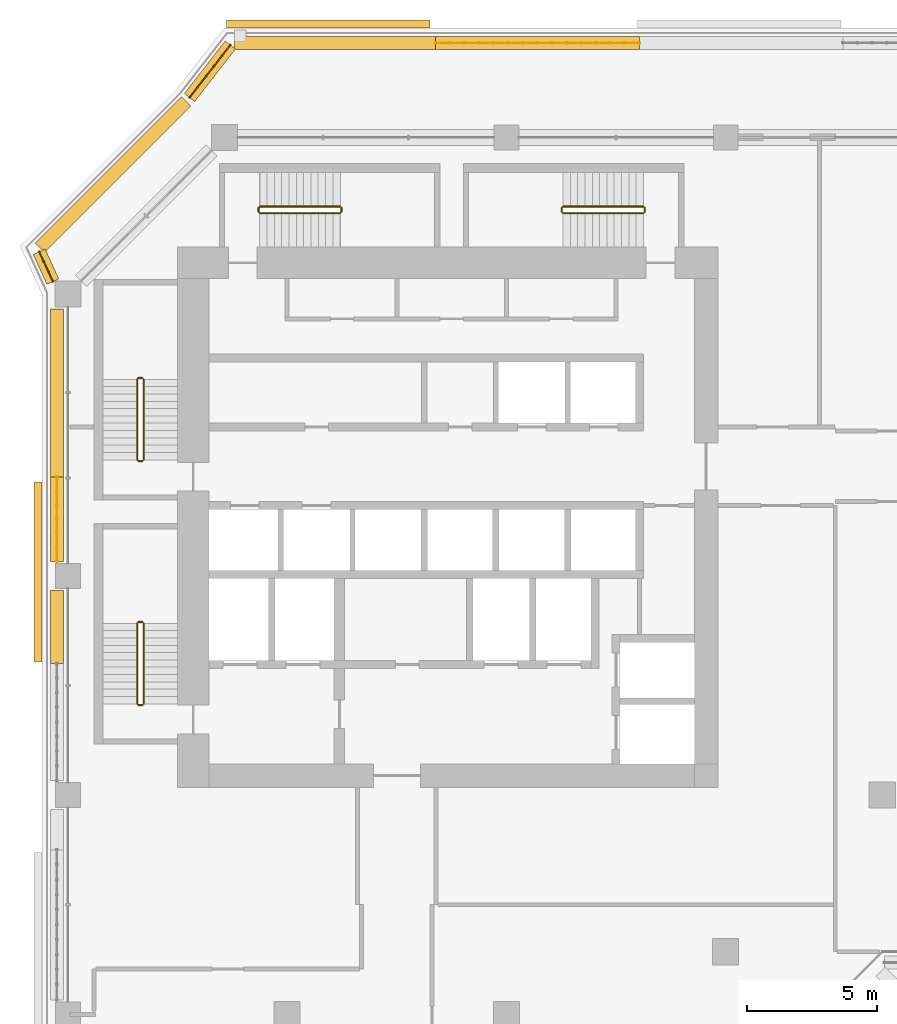
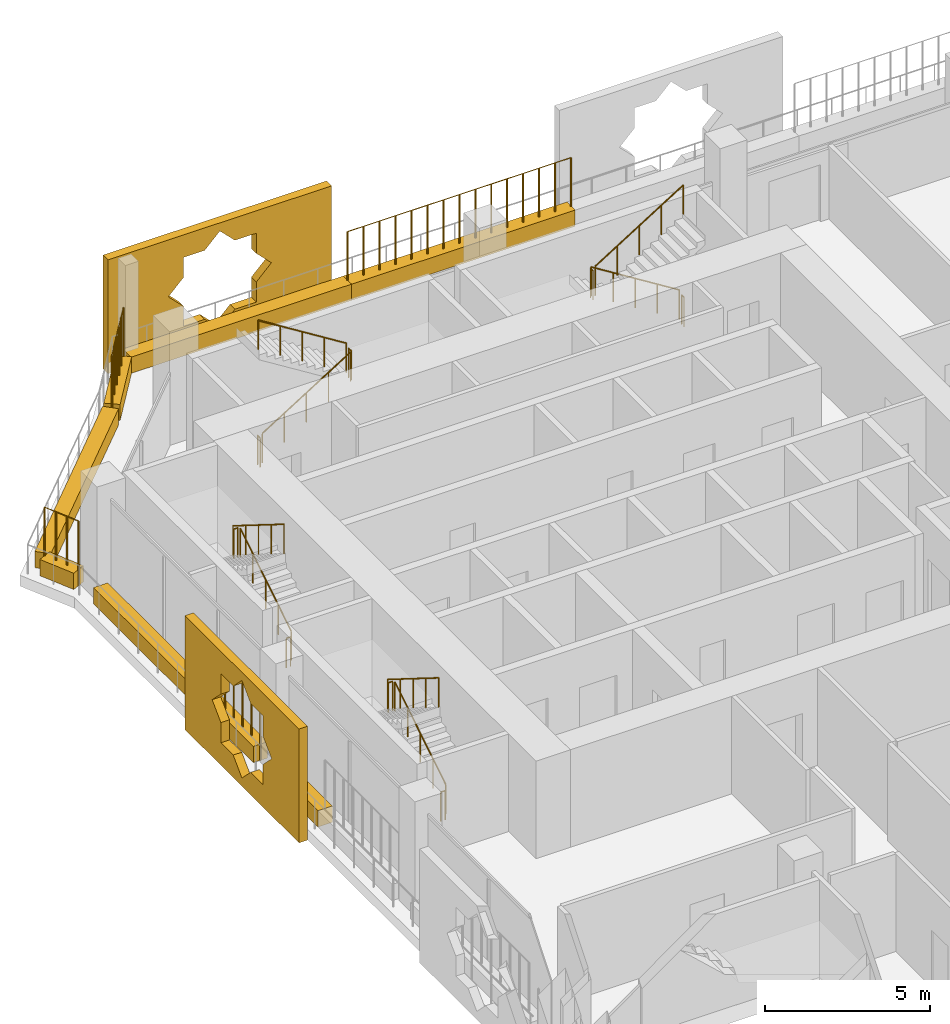
# One storey, part 20 of 22: 20 railings, 10 coverings.
"""IFC4 building model written with IfcOpenShell, lengths in metres."""

from ifc_helpers import new_model, si_unit, direction, frame, origin, origin_2d, place, context, subcontext, project, spatial, polyline, rectangle, circle, outline, extrude, material, material_profile, profile_set, type_object, element, save


model = new_model("IFC4")

# Units and contexts
model_context = context("Model", 3, precision=1e-05, world=origin(), true_north=direction((0.0, 1.0)))
body_context = subcontext(model_context, "Body", "Model", "MODEL_VIEW")
ifc_project = project(units=[si_unit("LENGTHUNIT", "METRE"), si_unit("AREAUNIT", "SQUARE_METRE"), si_unit("VOLUMEUNIT", "CUBIC_METRE"), si_unit("PLANEANGLEUNIT", "RADIAN"), si_unit("MASSUNIT", "GRAM", prefix="KILO")], contexts=[model_context])

# Site, building, storey
site_placement = place(None, origin())
site = spatial("IfcSite", under=ifc_project, at=site_placement, CompositionType="ELEMENT")
building_placement = place(site_placement, origin())
building = spatial("IfcBuilding", under=site, at=building_placement, Name="Kawkab Arch Medical Tower", CompositionType="ELEMENT")
storey_placement = place(building_placement, frame((0.0, 0.0, 187.800048828125)))
storey = spatial("IfcBuildingStorey", under=building, at=storey_placement, Name="L43", CompositionType="ELEMENT", Elevation=187.800048828125)

# Coverings
ifc_material_1 = material(Name="Bronze anodised aluminium mashrabiya panel, eight-point star pattern", Category="aluminium")
ifc_material_profile_1 = material_profile(ifc_material_1, outline(polyline([(-3.449951171875, -2.10009765625), (3.449951171875, -2.10009765625), (3.449951171875, 2.10009765625), (-3.449951171875, 2.10009765625), (-3.449951171875, -2.10009765625)]), holes=[polyline([(1.800048828125, 0.0), (1.272705078125, 0.527099609375), (1.272705078125, 1.272705078125), (0.527099609375, 1.272705078125), (0.0, 1.800048828125), (-0.527099609375, 1.272705078125), (-1.272705078125, 1.272705078125), (-1.272705078125, 0.527099609375), (-1.800048828125, 0.0), (-1.272705078125, -0.527099609375), (-1.272705078125, -1.272705078125), (-0.527099609375, -1.272705078125), (0.0, -1.800048828125), (0.527099609375, -1.272705078125), (1.272705078125, -1.272705078125), (1.272705078125, -0.527099609375), (1.800048828125, 0.0)])]), Name="Mashrabiya panel 6900x4200")
ifc_profile_set_1 = profile_set([ifc_material_profile_1], Name="Bronze anodised aluminium mashrabiya panel, eight-point star pattern")
covering_type_1 = type_object("IfcCoveringType", Name="Mashrabiya panel 6900 x 4200", PredefinedType="USERDEFINED", material=ifc_profile_set_1)
covering_1_placement = place(storey_placement, frame((-1.0, -16.64892578125, 1.699951171875), z_axis=(-1.0, 0.0, 0.0), x_axis=(0.0, -1.0, 0.0)))
element("IfcCovering", 1, at=covering_1_placement, inside=storey, type_object=covering_type_1, Name="Mashrabiya panel L43.LOG-01-01.4", ObjectType="SCREEN", PredefinedType="USERDEFINED", context=body_context, shape_type="SweptSolid", body=[
    extrude(outline(polyline([(-3.449951171875, -2.10009765625), (3.449951171875, -2.10009765625), (3.449951171875, 2.10009765625), (-3.449951171875, 2.10009765625), (-3.449951171875, -2.10009765625)]), holes=[polyline([(1.800048828125, 0.0), (1.272705078125, 0.527099609375), (1.272705078125, 1.272705078125), (0.527099609375, 1.272705078125), (0.0, 1.800048828125), (-0.527099609375, 1.272705078125), (-1.272705078125, 1.272705078125), (-1.272705078125, 0.527099609375), (-1.800048828125, 0.0), (-1.272705078125, -0.527099609375), (-1.272705078125, -1.272705078125), (-0.527099609375, -1.272705078125), (0.0, -1.800048828125), (0.527099609375, -1.272705078125), (1.272705078125, -1.272705078125), (1.272705078125, -0.527099609375), (1.800048828125, 0.0)])]), origin(), (0.0, 0.0, 1.0), 0.300048828125),
])
ifc_material_2 = material(Name="Bronze anodised aluminium mashrabiya panel, eight-point star pattern", Category="aluminium")
ifc_material_profile_2 = material_profile(ifc_material_2, outline(polyline([(-3.89990234375, -2.10009765625), (3.89990234375, -2.10009765625), (3.89990234375, 2.10009765625), (-3.89990234375, 2.10009765625), (-3.89990234375, -2.10009765625)]), holes=[polyline([(1.800048828125, 0.0), (1.272705078125, 0.527099609375), (1.272705078125, 1.272705078125), (0.527099609375, 1.272705078125), (0.0, 1.800048828125), (-0.527099609375, 1.272705078125), (-1.272705078125, 1.272705078125), (-1.272705078125, 0.527099609375), (-1.800048828125, 0.0), (-1.272705078125, -0.527099609375), (-1.272705078125, -1.272705078125), (-0.527099609375, -1.272705078125), (0.0, -1.800048828125), (0.527099609375, -1.272705078125), (1.272705078125, -1.272705078125), (1.272705078125, -0.527099609375), (1.800048828125, 0.0)])]), Name="Mashrabiya panel 7800x4200")
ifc_profile_set_2 = profile_set([ifc_material_profile_2], Name="Bronze anodised aluminium mashrabiya panel, eight-point star pattern")
covering_type_2 = type_object("IfcCoveringType", Name="Mashrabiya panel 7800 x 4200", PredefinedType="USERDEFINED", material=ifc_profile_set_2)
covering_2_placement = place(storey_placement, frame((9.967041015625, 4.199951171875, 1.699951171875), z_axis=(0.0, 1.0, 0.0), x_axis=(-1.0, 0.0, 0.0)))
element("IfcCovering", 2, at=covering_2_placement, inside=storey, type_object=covering_type_2, Name="Mashrabiya panel L43.LOG-01-01.5", ObjectType="SCREEN", PredefinedType="USERDEFINED", context=body_context, shape_type="SweptSolid", body=[
    extrude(outline(polyline([(-3.89990234375, -2.10009765625), (3.89990234375, -2.10009765625), (3.89990234375, 2.10009765625), (-3.89990234375, 2.10009765625), (-3.89990234375, -2.10009765625)]), holes=[polyline([(1.800048828125, 0.0), (1.272705078125, 0.527099609375), (1.272705078125, 1.272705078125), (0.527099609375, 1.272705078125), (0.0, 1.800048828125), (-0.527099609375, 1.272705078125), (-1.272705078125, 1.272705078125), (-1.272705078125, 0.527099609375), (-1.800048828125, 0.0), (-1.272705078125, -0.527099609375), (-1.272705078125, -1.272705078125), (-0.527099609375, -1.272705078125), (0.0, -1.800048828125), (0.527099609375, -1.272705078125), (1.272705078125, -1.272705078125), (1.272705078125, -0.527099609375), (1.800048828125, 0.0)])]), origin(), (0.0, 0.0, 1.0), 0.300048828125),
])
ifc_material_3 = material(Name="Planting soil in a precast trough", Category="concrete")
ifc_material_profile_3 = material_profile(ifc_material_3, rectangle(XDim=0.5, YDim=0.60009765625, at=origin_2d()), Name="Trough 500x600")
ifc_profile_set_3 = profile_set([ifc_material_profile_3], Name="Planting soil in a precast trough")
covering_type_3 = type_object("IfcCoveringType", Name="Planter trough 500 x 600", PredefinedType="USERDEFINED", material=ifc_profile_set_3)
covering_3_placement = place(storey_placement, frame((-0.419921875, -20.157958984375, 0.300048828125), z_axis=(0.0, 1.0, 0.0), x_axis=(-1.0, 0.0, 0.0)))
element("IfcCovering", 3, at=covering_3_placement, inside=storey, type_object=covering_type_3, Name="Planter L43.LOG-01-01.12", ObjectType="PLANTER", PredefinedType="USERDEFINED", context=body_context, shape_type="SweptSolid", body=[
    extrude(rectangle(XDim=0.5, YDim=0.60009765625, at=origin_2d()), origin(), (0.0, 0.0, 1.0), 2.802978515625),
])
covering_4_placement = place(storey_placement, frame((-0.419921875, -16.2451171875, 0.300048828125), z_axis=(0.0, 1.0, 0.0), x_axis=(-1.0, 0.0, 0.0)))
element("IfcCovering", 4, at=covering_4_placement, inside=storey, type_object=covering_type_3, Name="Planter L43.LOG-01-01.13", ObjectType="PLANTER", PredefinedType="USERDEFINED", context=body_context, shape_type="SweptSolid", body=[
    extrude(rectangle(XDim=0.5, YDim=0.60009765625, at=origin_2d()), origin(), (0.0, 0.0, 1.0), 3.22900390625),
])
covering_5_placement = place(storey_placement, frame((-0.419921875, -13.01611328125, 0.300048828125), z_axis=(0.0, 1.0, 0.0), x_axis=(-1.0, 0.0, 0.0)))
element("IfcCovering", 5, at=covering_5_placement, inside=storey, type_object=covering_type_3, Name="Planter L43.LOG-01-01.14", ObjectType="PLANTER", PredefinedType="USERDEFINED", context=body_context, shape_type="SweptSolid", body=[
    extrude(rectangle(XDim=0.5, YDim=0.60009765625, at=origin_2d()), origin(), (0.0, 0.0, 1.0), 6.43603515625),
])
covering_6_placement = place(storey_placement, frame((-0.580078125, -5.52294921875, 0.300048828125), z_axis=(-0.415089762627, 0.909780461959, 0.0), x_axis=(-0.909780461959, -0.415089762627, 0.0)))
element("IfcCovering", 6, at=covering_6_placement, inside=storey, type_object=covering_type_3, Name="Planter L43.LOG-01-01.15", ObjectType="PLANTER", PredefinedType="USERDEFINED", context=body_context, shape_type="SweptSolid", body=[
    extrude(rectangle(XDim=0.5, YDim=0.60009765625, at=origin_2d()), origin(), (0.0, 0.0, 1.0), 1.257568359375),
])
covering_7_placement = place(storey_placement, frame((-1.072998046875, -4.217041015625, 0.300048828125), z_axis=(0.707106781187, 0.707106781187, 0.0), x_axis=(-0.707106781187, 0.707106781187, 0.0)))
element("IfcCovering", 7, at=covering_7_placement, inside=storey, type_object=covering_type_3, Name="Planter L43.LOG-01-01.16", ObjectType="PLANTER", PredefinedType="USERDEFINED", context=body_context, shape_type="SweptSolid", body=[
    extrude(rectangle(XDim=0.5, YDim=0.60009765625, at=origin_2d()), origin(), (0.0, 0.0, 1.0), 7.919677734375),
])
covering_8_placement = place(storey_placement, frame((4.658935546875, 1.531982421875, 0.300048828125), z_axis=(0.61404021143, 0.789274742246, 0.0), x_axis=(-0.789274742246, 0.61404021143, 0.0)))
element("IfcCovering", 8, at=covering_8_placement, inside=storey, type_object=covering_type_3, Name="Planter L43.LOG-01-01.17", ObjectType="PLANTER", PredefinedType="USERDEFINED", context=body_context, shape_type="SweptSolid", body=[
    extrude(rectangle(XDim=0.5, YDim=0.60009765625, at=origin_2d()), origin(), (0.0, 0.0, 1.0), 2.54541015625),
])
covering_9_placement = place(storey_placement, frame((6.384033203125, 3.6201171875, 0.300048828125), z_axis=(1.0, 0.0, 0.0), x_axis=(0.0, 1.0, 0.0)))
element("IfcCovering", 9, at=covering_9_placement, inside=storey, type_object=covering_type_3, Name="Planter L43.LOG-01-01.18", ObjectType="PLANTER", PredefinedType="USERDEFINED", context=body_context, shape_type="SweptSolid", body=[
    extrude(rectangle(XDim=0.5, YDim=0.60009765625, at=origin_2d()), origin(), (0.0, 0.0, 1.0), 7.703857421875),
])
covering_10_placement = place(storey_placement, frame((14.087890625, 3.6201171875, 0.300048828125), z_axis=(1.0, 0.0, 0.0), x_axis=(0.0, 1.0, 0.0)))
element("IfcCovering", 10, at=covering_10_placement, inside=storey, type_object=covering_type_3, Name="Planter L43.LOG-01-01.19", ObjectType="PLANTER", PredefinedType="USERDEFINED", context=body_context, shape_type="SweptSolid", body=[
    extrude(rectangle(XDim=0.5, YDim=0.60009765625, at=origin_2d()), origin(), (0.0, 0.0, 1.0), 7.80517578125),
])

# Railings
ifc_material_4 = material(Name="Bronze anodised aluminium trellis for climbing plants", Category="aluminium")
railing_type_1 = type_object("IfcRailingType", Name="Planting trellis 2400", PredefinedType="USERDEFINED", material=ifc_material_4)
railing_1_placement = place(storey_placement, frame((-0.419921875, -16.2451171875, 0.0)))
element("IfcRailing", 11, at=railing_1_placement, inside=storey, type_object=railing_type_1, Name="Planting trellis L43.LOG-01-01.13", ObjectType="TRELLIS", PredefinedType="USERDEFINED", context=body_context, shape_type="SweptSolid", body=[
    extrude(circle(Radius=0.01513671875, at=origin_2d()), frame((0.0, 0.0, 2.384765625), z_axis=(0.0, 1.0, 0.0), x_axis=(-1.0, 0.0, 0.0)), (0.0, 0.0, 1.0), 3.22900390625),
    extrude(circle(Radius=0.030029296875, at=origin_2d()), origin(), (0.0, 0.0, 1.0), 2.369873046875),
    extrude(circle(Radius=0.030029296875, at=origin_2d()), frame((0.0, 0.5380859375, 0.0)), (0.0, 0.0, 1.0), 2.369873046875),
    extrude(circle(Radius=0.030029296875, at=origin_2d()), frame((0.0, 1.076416015625, 0.0)), (0.0, 0.0, 1.0), 2.369873046875),
    extrude(circle(Radius=0.030029296875, at=origin_2d()), frame((0.0, 1.614501953125, 0.0)), (0.0, 0.0, 1.0), 2.369873046875),
    extrude(circle(Radius=0.030029296875, at=origin_2d()), frame((0.0, 2.152587890625, 0.0)), (0.0, 0.0, 1.0), 2.369873046875),
    extrude(circle(Radius=0.030029296875, at=origin_2d()), frame((0.0, 2.69091796875, 0.0)), (0.0, 0.0, 1.0), 2.369873046875),
    extrude(circle(Radius=0.030029296875, at=origin_2d()), frame((0.0, 3.22900390625, 0.0)), (0.0, 0.0, 1.0), 2.369873046875),
])
railing_2_placement = place(storey_placement, frame((-0.580078125, -5.52294921875, 0.0)))
element("IfcRailing", 12, at=railing_2_placement, inside=storey, type_object=railing_type_1, Name="Planting trellis L43.LOG-01-01.15", ObjectType="TRELLIS", PredefinedType="USERDEFINED", context=body_context, shape_type="SweptSolid", body=[
    extrude(circle(Radius=0.01513671875, at=origin_2d()), frame((0.0, 0.0, 2.384765625), z_axis=(-0.415089762627, 0.909780461959, 0.0), x_axis=(-0.909780461959, -0.415089762627, 0.0)), (0.0, 0.0, 1.0), 1.257568359375),
    extrude(circle(Radius=0.030029296875, at=origin_2d()), origin(), (0.0, 0.0, 1.0), 2.369873046875),
    extrude(circle(Radius=0.030029296875, at=origin_2d()), frame((-0.174072265625, 0.38134765625, 0.0)), (0.0, 0.0, 1.0), 2.369873046875),
    extrude(circle(Radius=0.030029296875, at=origin_2d()), frame((-0.347900390625, 0.7626953125, 0.0)), (0.0, 0.0, 1.0), 2.369873046875),
    extrude(circle(Radius=0.030029296875, at=origin_2d()), frame((-0.52197265625, 1.14404296875, 0.0)), (0.0, 0.0, 1.0), 2.369873046875),
])
railing_3_placement = place(storey_placement, frame((4.658935546875, 1.531982421875, 0.0)))
element("IfcRailing", 13, at=railing_3_placement, inside=storey, type_object=railing_type_1, Name="Planting trellis L43.LOG-01-01.17", ObjectType="TRELLIS", PredefinedType="USERDEFINED", context=body_context, shape_type="SweptSolid", body=[
    extrude(circle(Radius=0.01513671875, at=origin_2d()), frame((0.0, 0.0, 2.384765625), z_axis=(0.61404021143, 0.789274742246, 0.0), x_axis=(-0.789274742246, 0.61404021143, 0.0)), (0.0, 0.0, 1.0), 2.54541015625),
    extrude(circle(Radius=0.030029296875, at=origin_2d()), origin(), (0.0, 0.0, 1.0), 2.369873046875),
    extrude(circle(Radius=0.030029296875, at=origin_2d()), frame((0.3125, 0.40185546875, 0.0)), (0.0, 0.0, 1.0), 2.369873046875),
    extrude(circle(Radius=0.030029296875, at=origin_2d()), frame((0.625244140625, 0.8037109375, 0.0)), (0.0, 0.0, 1.0), 2.369873046875),
    extrude(circle(Radius=0.030029296875, at=origin_2d()), frame((0.937744140625, 1.205322265625, 0.0)), (0.0, 0.0, 1.0), 2.369873046875),
    extrude(circle(Radius=0.030029296875, at=origin_2d()), frame((1.25048828125, 1.607177734375, 0.0)), (0.0, 0.0, 1.0), 2.369873046875),
    extrude(circle(Radius=0.030029296875, at=origin_2d()), frame((1.56298828125, 2.009033203125, 0.0)), (0.0, 0.0, 1.0), 2.369873046875),
])
railing_4_placement = place(storey_placement, frame((14.087890625, 3.6201171875, 0.0)))
element("IfcRailing", 14, at=railing_4_placement, inside=storey, type_object=railing_type_1, Name="Planting trellis L43.LOG-01-01.19", ObjectType="TRELLIS", PredefinedType="USERDEFINED", context=body_context, shape_type="SweptSolid", body=[
    extrude(circle(Radius=0.01513671875, at=origin_2d()), frame((0.0, 0.0, 2.384765625), z_axis=(1.0, 0.0, 0.0), x_axis=(0.0, 1.0, 0.0)), (0.0, 0.0, 1.0), 7.80517578125),
    extrude(circle(Radius=0.030029296875, at=origin_2d()), origin(), (0.0, 0.0, 1.0), 2.369873046875),
    extrude(circle(Radius=0.030029296875, at=origin_2d()), frame((0.5576171875, 0.0, 0.0)), (0.0, 0.0, 1.0), 2.369873046875),
    extrude(circle(Radius=0.030029296875, at=origin_2d()), frame((1.114990234375, 0.0, 0.0)), (0.0, 0.0, 1.0), 2.369873046875),
    extrude(circle(Radius=0.030029296875, at=origin_2d()), frame((1.672607421875, 0.0, 0.0)), (0.0, 0.0, 1.0), 2.369873046875),
    extrude(circle(Radius=0.030029296875, at=origin_2d()), frame((2.22998046875, 0.0, 0.0)), (0.0, 0.0, 1.0), 2.369873046875),
    extrude(circle(Radius=0.030029296875, at=origin_2d()), frame((2.78759765625, 0.0, 0.0)), (0.0, 0.0, 1.0), 2.369873046875),
    extrude(circle(Radius=0.030029296875, at=origin_2d()), frame((3.344970703125, 0.0, 0.0)), (0.0, 0.0, 1.0), 2.369873046875),
    extrude(circle(Radius=0.030029296875, at=origin_2d()), frame((3.902587890625, 0.0, 0.0)), (0.0, 0.0, 1.0), 2.369873046875),
    extrude(circle(Radius=0.030029296875, at=origin_2d()), frame((4.460205078125, 0.0, 0.0)), (0.0, 0.0, 1.0), 2.369873046875),
    extrude(circle(Radius=0.030029296875, at=origin_2d()), frame((5.017578125, 0.0, 0.0)), (0.0, 0.0, 1.0), 2.369873046875),
    extrude(circle(Radius=0.030029296875, at=origin_2d()), frame((5.5751953125, 0.0, 0.0)), (0.0, 0.0, 1.0), 2.369873046875),
    extrude(circle(Radius=0.030029296875, at=origin_2d()), frame((6.132568359375, 0.0, 0.0)), (0.0, 0.0, 1.0), 2.369873046875),
    extrude(circle(Radius=0.030029296875, at=origin_2d()), frame((6.690185546875, 0.0, 0.0)), (0.0, 0.0, 1.0), 2.369873046875),
    extrude(circle(Radius=0.030029296875, at=origin_2d()), frame((7.24755859375, 0.0, 0.0)), (0.0, 0.0, 1.0), 2.369873046875),
    extrude(circle(Radius=0.030029296875, at=origin_2d()), frame((7.80517578125, 0.0, 0.0)), (0.0, 0.0, 1.0), 2.369873046875),
])
ifc_material_5 = material(Name="Stainless steel", Category="steel")
railing_type_2 = type_object("IfcRailingType", Name="Stair guard 1100", PredefinedType="GUARDRAIL", material=ifc_material_5)
railing_5_placement = place(storey_placement, frame((2.89990234375, -12.35009765625, 0.175048828125)))
element("IfcRailing", 15, at=railing_5_placement, inside=storey, type_object=railing_type_2, Name="L43 ST1 stair guard 1", PredefinedType="GUARDRAIL", context=body_context, shape_type="SweptSolid", body=[
    extrude(circle(Radius=0.02392578125, at=origin_2d()), frame((0.0, 0.0, 1.076171875), z_axis=(0.0, 0.848028513186, 0.529950602248), x_axis=(-1.0, 0.0, 0.0)), (0.0, 0.0, 1.0), 3.632080078125),
    extrude(circle(Radius=0.02099609375, at=origin_2d()), origin(), (0.0, 0.0, 1.0), 1.052001953125),
    extrude(circle(Radius=0.02099609375, at=origin_2d()), frame((0.0, 0.77001953125, 0.481201171875)), (0.0, 0.0, 1.0), 1.052001953125),
    extrude(circle(Radius=0.02099609375, at=origin_2d()), frame((0.0, 1.5400390625, 0.96240234375)), (0.0, 0.0, 1.0), 1.052001953125),
    extrude(circle(Radius=0.02099609375, at=origin_2d()), frame((0.0, 2.31005859375, 1.443603515625)), (0.0, 0.0, 1.0), 1.052001953125),
    extrude(circle(Radius=0.02099609375, at=origin_2d()), frame((0.0, 3.080078125, 1.9248046875)), (0.0, 0.0, 1.0), 1.052001953125),
])
railing_6_placement = place(storey_placement, frame((2.85009765625, -9.219970703125, 2.099853515625)))
element("IfcRailing", 16, at=railing_6_placement, inside=storey, type_object=railing_type_2, Name="L43 ST1 stair guard 2", PredefinedType="GUARDRAIL", context=body_context, shape_type="SweptSolid", body=[
    extrude(circle(Radius=0.02392578125, at=origin_2d()), frame((0.0, 0.0, 1.076171875), z_axis=(-1.0, 0.0, 0.0), x_axis=(0.0, -1.0, 0.0)), (0.0, 0.0, 1.0), 0.150146484375),
    extrude(circle(Radius=0.02099609375, at=origin_2d()), origin(), (0.0, 0.0, 1.0), 1.052001953125),
    extrude(circle(Radius=0.02099609375, at=origin_2d()), frame((-0.150146484375, 0.0, 0.0)), (0.0, 0.0, 1.0), 1.052001953125),
])
railing_7_placement = place(storey_placement, frame((2.64990234375, -9.27001953125, 2.27490234375)))
element("IfcRailing", 17, at=railing_7_placement, inside=storey, type_object=railing_type_2, Name="L43 ST1 stair guard 3", PredefinedType="GUARDRAIL", context=body_context, shape_type="SweptSolid", body=[
    extrude(circle(Radius=0.02392578125, at=origin_2d()), frame((0.0, 0.0, 1.076171875), z_axis=(0.0, -0.847998304005, 0.529998940003), x_axis=(1.0, 0.0, 0.0)), (0.0, 0.0, 1.0), 3.632080078125),
    extrude(circle(Radius=0.02099609375, at=origin_2d()), origin(), (0.0, 0.0, 1.0), 1.052001953125),
    extrude(circle(Radius=0.02099609375, at=origin_2d()), frame((0.0, -0.77001953125, 0.481201171875)), (0.0, 0.0, 1.0), 1.052001953125),
    extrude(circle(Radius=0.02099609375, at=origin_2d()), frame((0.0, -1.5400390625, 0.96240234375)), (0.0, 0.0, 1.0), 1.052001953125),
    extrude(circle(Radius=0.02099609375, at=origin_2d()), frame((0.0, -2.31005859375, 1.44384765625)), (0.0, 0.0, 1.0), 1.052001953125),
    extrude(circle(Radius=0.02099609375, at=origin_2d()), frame((0.0, -3.080078125, 1.925048828125)), (0.0, 0.0, 1.0), 1.052001953125),
])
railing_8_placement = place(storey_placement, frame((2.85009765625, -12.39990234375, 0.0)))
element("IfcRailing", 18, at=railing_8_placement, inside=storey, type_object=railing_type_2, Name="L43 ST1 stair guard 4", PredefinedType="GUARDRAIL", context=body_context, shape_type="SweptSolid", body=[
    extrude(circle(Radius=0.02392578125, at=origin_2d()), frame((0.0, 0.0, 1.076171875), z_axis=(-1.0, 0.0, 0.0), x_axis=(0.0, -1.0, 0.0)), (0.0, 0.0, 1.0), 0.150146484375),
    extrude(circle(Radius=0.02099609375, at=origin_2d()), origin(), (0.0, 0.0, 1.0), 1.052001953125),
    extrude(circle(Radius=0.02099609375, at=origin_2d()), frame((-0.150146484375, 0.0, 0.0)), (0.0, 0.0, 1.0), 1.052001953125),
])
railing_9_placement = place(storey_placement, frame((2.89990234375, -21.699951171875, 0.175048828125)))
element("IfcRailing", 19, at=railing_9_placement, inside=storey, type_object=railing_type_2, Name="L43 ST2 stair guard 1", PredefinedType="GUARDRAIL", context=body_context, shape_type="SweptSolid", body=[
    extrude(circle(Radius=0.02392578125, at=origin_2d()), frame((0.0, 0.0, 1.076171875), z_axis=(0.0, 0.848009633417, 0.529980812513), x_axis=(-1.0, 0.0, 0.0)), (0.0, 0.0, 1.0), 3.6318359375),
    extrude(circle(Radius=0.02099609375, at=origin_2d()), origin(), (0.0, 0.0, 1.0), 1.052001953125),
    extrude(circle(Radius=0.02099609375, at=origin_2d()), frame((0.0, 0.77001953125, 0.481201171875)), (0.0, 0.0, 1.0), 1.052001953125),
    extrude(circle(Radius=0.02099609375, at=origin_2d()), frame((0.0, 1.5400390625, 0.96240234375)), (0.0, 0.0, 1.0), 1.052001953125),
    extrude(circle(Radius=0.02099609375, at=origin_2d()), frame((0.0, 2.309814453125, 1.443603515625)), (0.0, 0.0, 1.0), 1.052001953125),
    extrude(circle(Radius=0.02099609375, at=origin_2d()), frame((0.0, 3.079833984375, 1.9248046875)), (0.0, 0.0, 1.0), 1.052001953125),
])
railing_10_placement = place(storey_placement, frame((2.85009765625, -18.570068359375, 2.099853515625)))
element("IfcRailing", 20, at=railing_10_placement, inside=storey, type_object=railing_type_2, Name="L43 ST2 stair guard 2", PredefinedType="GUARDRAIL", context=body_context, shape_type="SweptSolid", body=[
    extrude(circle(Radius=0.02392578125, at=origin_2d()), frame((0.0, 0.0, 1.076171875), z_axis=(-1.0, 0.0, 0.0), x_axis=(0.0, -1.0, 0.0)), (0.0, 0.0, 1.0), 0.150146484375),
    extrude(circle(Radius=0.02099609375, at=origin_2d()), origin(), (0.0, 0.0, 1.0), 1.052001953125),
    extrude(circle(Radius=0.02099609375, at=origin_2d()), frame((-0.150146484375, 0.0, 0.0)), (0.0, 0.0, 1.0), 1.052001953125),
])
railing_11_placement = place(storey_placement, frame((2.64990234375, -18.6201171875, 2.27490234375)))
element("IfcRailing", 21, at=railing_11_placement, inside=storey, type_object=railing_type_2, Name="L43 ST2 stair guard 3", PredefinedType="GUARDRAIL", context=body_context, shape_type="SweptSolid", body=[
    extrude(circle(Radius=0.02392578125, at=origin_2d()), frame((0.0, 0.0, 1.076171875), z_axis=(0.0, -0.847979421464, 0.530029150871), x_axis=(1.0, 0.0, 0.0)), (0.0, 0.0, 1.0), 3.632080078125),
    extrude(circle(Radius=0.02099609375, at=origin_2d()), origin(), (0.0, 0.0, 1.0), 1.052001953125),
    extrude(circle(Radius=0.02099609375, at=origin_2d()), frame((0.0, -0.77001953125, 0.481201171875)), (0.0, 0.0, 1.0), 1.052001953125),
    extrude(circle(Radius=0.02099609375, at=origin_2d()), frame((0.0, -1.5400390625, 0.96240234375)), (0.0, 0.0, 1.0), 1.052001953125),
    extrude(circle(Radius=0.02099609375, at=origin_2d()), frame((0.0, -2.309814453125, 1.44384765625)), (0.0, 0.0, 1.0), 1.052001953125),
    extrude(circle(Radius=0.02099609375, at=origin_2d()), frame((0.0, -3.079833984375, 1.925048828125)), (0.0, 0.0, 1.0), 1.052001953125),
])
railing_12_placement = place(storey_placement, frame((2.85009765625, -21.75, 0.0)))
element("IfcRailing", 22, at=railing_12_placement, inside=storey, type_object=railing_type_2, Name="L43 ST2 stair guard 4", PredefinedType="GUARDRAIL", context=body_context, shape_type="SweptSolid", body=[
    extrude(circle(Radius=0.02392578125, at=origin_2d()), frame((0.0, 0.0, 1.076171875), z_axis=(-1.0, 0.0, 0.0), x_axis=(0.0, -1.0, 0.0)), (0.0, 0.0, 1.0), 0.150146484375),
    extrude(circle(Radius=0.02099609375, at=origin_2d()), origin(), (0.0, 0.0, 1.0), 1.052001953125),
    extrude(circle(Radius=0.02099609375, at=origin_2d()), frame((-0.150146484375, 0.0, 0.0)), (0.0, 0.0, 1.0), 1.052001953125),
])
railing_13_placement = place(storey_placement, frame((7.35009765625, -2.89990234375, 0.175048828125)))
element("IfcRailing", 23, at=railing_13_placement, inside=storey, type_object=railing_type_2, Name="L43 ST3 stair guard 1", PredefinedType="GUARDRAIL", context=body_context, shape_type="SweptSolid", body=[
    extrude(circle(Radius=0.02392578125, at=origin_2d()), frame((0.0, 0.0, 1.076171875), z_axis=(0.848009633417, 0.0, 0.529980812513), x_axis=(0.0, 1.0, 0.0)), (0.0, 0.0, 1.0), 3.6318359375),
    extrude(circle(Radius=0.02099609375, at=origin_2d()), origin(), (0.0, 0.0, 1.0), 1.052001953125),
    extrude(circle(Radius=0.02099609375, at=origin_2d()), frame((0.77001953125, 0.0, 0.481201171875)), (0.0, 0.0, 1.0), 1.052001953125),
    extrude(circle(Radius=0.02099609375, at=origin_2d()), frame((1.5400390625, 0.0, 0.96240234375)), (0.0, 0.0, 1.0), 1.052001953125),
    extrude(circle(Radius=0.02099609375, at=origin_2d()), frame((2.309814453125, 0.0, 1.443603515625)), (0.0, 0.0, 1.0), 1.052001953125),
    extrude(circle(Radius=0.02099609375, at=origin_2d()), frame((3.079833984375, 0.0, 1.9248046875)), (0.0, 0.0, 1.0), 1.052001953125),
])
railing_14_placement = place(storey_placement, frame((10.47998046875, -2.85009765625, 2.099853515625)))
element("IfcRailing", 24, at=railing_14_placement, inside=storey, type_object=railing_type_2, Name="L43 ST3 stair guard 2", PredefinedType="GUARDRAIL", context=body_context, shape_type="SweptSolid", body=[
    extrude(circle(Radius=0.02392578125, at=origin_2d()), frame((0.0, 0.0, 1.076171875), z_axis=(0.0, 1.0, 0.0), x_axis=(-1.0, 0.0, 0.0)), (0.0, 0.0, 1.0), 0.150146484375),
    extrude(circle(Radius=0.02099609375, at=origin_2d()), origin(), (0.0, 0.0, 1.0), 1.052001953125),
    extrude(circle(Radius=0.02099609375, at=origin_2d()), frame((0.0, 0.150146484375, 0.0)), (0.0, 0.0, 1.0), 1.052001953125),
])
railing_15_placement = place(storey_placement, frame((10.429931640625, -2.64990234375, 2.27490234375)))
element("IfcRailing", 25, at=railing_15_placement, inside=storey, type_object=railing_type_2, Name="L43 ST3 stair guard 3", PredefinedType="GUARDRAIL", context=body_context, shape_type="SweptSolid", body=[
    extrude(circle(Radius=0.02392578125, at=origin_2d()), frame((0.0, 0.0, 1.076171875), z_axis=(-0.847979421464, 0.0, 0.530029150871), x_axis=(0.0, -1.0, 0.0)), (0.0, 0.0, 1.0), 3.632080078125),
    extrude(circle(Radius=0.02099609375, at=origin_2d()), origin(), (0.0, 0.0, 1.0), 1.052001953125),
    extrude(circle(Radius=0.02099609375, at=origin_2d()), frame((-0.77001953125, 0.0, 0.481201171875)), (0.0, 0.0, 1.0), 1.052001953125),
    extrude(circle(Radius=0.02099609375, at=origin_2d()), frame((-1.5400390625, 0.0, 0.96240234375)), (0.0, 0.0, 1.0), 1.052001953125),
    extrude(circle(Radius=0.02099609375, at=origin_2d()), frame((-2.309814453125, 0.0, 1.44384765625)), (0.0, 0.0, 1.0), 1.052001953125),
    extrude(circle(Radius=0.02099609375, at=origin_2d()), frame((-3.079833984375, 0.0, 1.925048828125)), (0.0, 0.0, 1.0), 1.052001953125),
])
railing_16_placement = place(storey_placement, frame((7.300048828125, -2.85009765625, 0.0)))
element("IfcRailing", 26, at=railing_16_placement, inside=storey, type_object=railing_type_2, Name="L43 ST3 stair guard 4", PredefinedType="GUARDRAIL", context=body_context, shape_type="SweptSolid", body=[
    extrude(circle(Radius=0.02392578125, at=origin_2d()), frame((0.0, 0.0, 1.076171875), z_axis=(0.0, 1.0, 0.0), x_axis=(-1.0, 0.0, 0.0)), (0.0, 0.0, 1.0), 0.150146484375),
    extrude(circle(Radius=0.02099609375, at=origin_2d()), origin(), (0.0, 0.0, 1.0), 1.052001953125),
    extrude(circle(Radius=0.02099609375, at=origin_2d()), frame((0.0, 0.150146484375, 0.0)), (0.0, 0.0, 1.0), 1.052001953125),
])
railing_17_placement = place(storey_placement, frame((22.050048828125, -2.64990234375, 0.175048828125)))
element("IfcRailing", 27, at=railing_17_placement, inside=storey, type_object=railing_type_2, Name="L43 ST4 stair guard 1", PredefinedType="GUARDRAIL", context=body_context, shape_type="SweptSolid", body=[
    extrude(circle(Radius=0.02392578125, at=origin_2d()), frame((0.0, 0.0, 1.076171875), z_axis=(-0.848028513186, 0.0, 0.529950602248), x_axis=(0.0, -1.0, 0.0)), (0.0, 0.0, 1.0), 3.632080078125),
    extrude(circle(Radius=0.02099609375, at=origin_2d()), origin(), (0.0, 0.0, 1.0), 1.052001953125),
    extrude(circle(Radius=0.02099609375, at=origin_2d()), frame((-0.77001953125, 0.0, 0.481201171875)), (0.0, 0.0, 1.0), 1.052001953125),
    extrude(circle(Radius=0.02099609375, at=origin_2d()), frame((-1.5400390625, 0.0, 0.96240234375)), (0.0, 0.0, 1.0), 1.052001953125),
    extrude(circle(Radius=0.02099609375, at=origin_2d()), frame((-2.31005859375, 0.0, 1.443603515625)), (0.0, 0.0, 1.0), 1.052001953125),
    extrude(circle(Radius=0.02099609375, at=origin_2d()), frame((-3.080078125, 0.0, 1.9248046875)), (0.0, 0.0, 1.0), 1.052001953125),
])
railing_18_placement = place(storey_placement, frame((18.919921875, -2.699951171875, 2.099853515625)))
element("IfcRailing", 28, at=railing_18_placement, inside=storey, type_object=railing_type_2, Name="L43 ST4 stair guard 2", PredefinedType="GUARDRAIL", context=body_context, shape_type="SweptSolid", body=[
    extrude(circle(Radius=0.02392578125, at=origin_2d()), frame((0.0, 0.0, 1.076171875), z_axis=(0.0, -1.0, 0.0), x_axis=(1.0, 0.0, 0.0)), (0.0, 0.0, 1.0), 0.150146484375),
    extrude(circle(Radius=0.02099609375, at=origin_2d()), origin(), (0.0, 0.0, 1.0), 1.052001953125),
    extrude(circle(Radius=0.02099609375, at=origin_2d()), frame((0.0, -0.150146484375, 0.0)), (0.0, 0.0, 1.0), 1.052001953125),
])
railing_19_placement = place(storey_placement, frame((18.969970703125, -2.89990234375, 2.27490234375)))
element("IfcRailing", 29, at=railing_19_placement, inside=storey, type_object=railing_type_2, Name="L43 ST4 stair guard 3", PredefinedType="GUARDRAIL", context=body_context, shape_type="SweptSolid", body=[
    extrude(circle(Radius=0.02392578125, at=origin_2d()), frame((0.0, 0.0, 1.076171875), z_axis=(0.847998304005, 0.0, 0.529998940003), x_axis=(0.0, 1.0, 0.0)), (0.0, 0.0, 1.0), 3.632080078125),
    extrude(circle(Radius=0.02099609375, at=origin_2d()), origin(), (0.0, 0.0, 1.0), 1.052001953125),
    extrude(circle(Radius=0.02099609375, at=origin_2d()), frame((0.77001953125, 0.0, 0.481201171875)), (0.0, 0.0, 1.0), 1.052001953125),
    extrude(circle(Radius=0.02099609375, at=origin_2d()), frame((1.5400390625, 0.0, 0.96240234375)), (0.0, 0.0, 1.0), 1.052001953125),
    extrude(circle(Radius=0.02099609375, at=origin_2d()), frame((2.31005859375, 0.0, 1.44384765625)), (0.0, 0.0, 1.0), 1.052001953125),
    extrude(circle(Radius=0.02099609375, at=origin_2d()), frame((3.080078125, 0.0, 1.925048828125)), (0.0, 0.0, 1.0), 1.052001953125),
])
railing_20_placement = place(storey_placement, frame((22.10009765625, -2.699951171875, 0.0)))
element("IfcRailing", 30, at=railing_20_placement, inside=storey, type_object=railing_type_2, Name="L43 ST4 stair guard 4", PredefinedType="GUARDRAIL", context=body_context, shape_type="SweptSolid", body=[
    extrude(circle(Radius=0.02392578125, at=origin_2d()), frame((0.0, 0.0, 1.076171875), z_axis=(0.0, -1.0, 0.0), x_axis=(1.0, 0.0, 0.0)), (0.0, 0.0, 1.0), 0.150146484375),
    extrude(circle(Radius=0.02099609375, at=origin_2d()), origin(), (0.0, 0.0, 1.0), 1.052001953125),
    extrude(circle(Radius=0.02099609375, at=origin_2d()), frame((0.0, -0.150146484375, 0.0)), (0.0, 0.0, 1.0), 1.052001953125),
])

save(model, "model.ifc")
